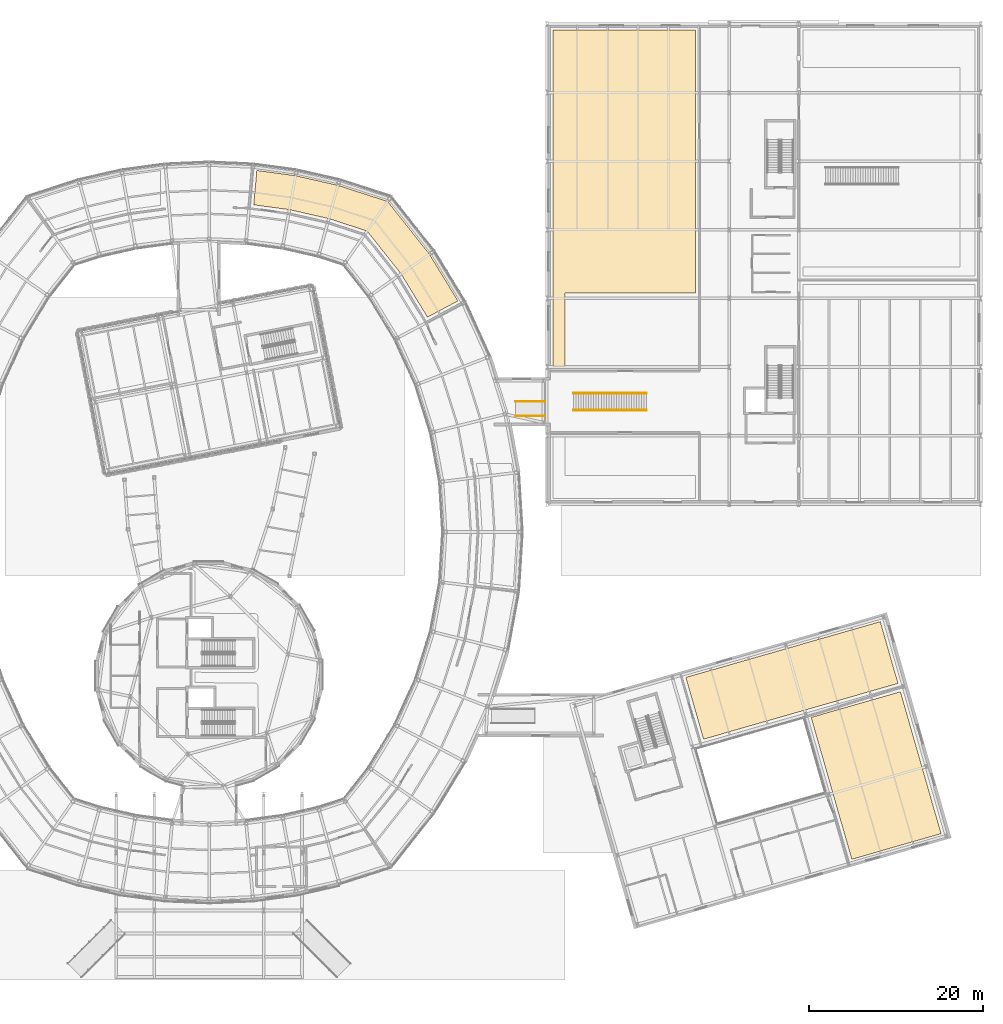
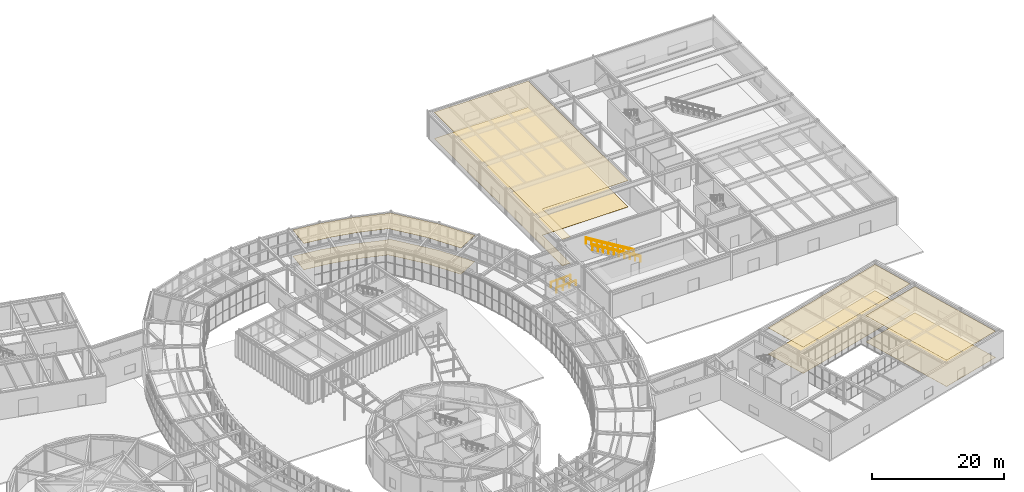
# One storey, part 94 of 97: 8 coverings, 6 railings.
"""IFC4 building model written with IfcOpenShell, lengths in metres."""

import ifcopenshell
import ifcopenshell.guid

model = None  # the IFC model being written
_history = None  # IfcOwnerHistory: only IFC2X3 demands one
_inside = {}  # id of a spatial element -> (the spatial element, [elements in it])
_under = {}  # id of a project, library or spatial element -> (it, [spatial elements below it])
_declared = {}  # id of a project -> (the project, [libraries it declares])
_typed = {}  # id of a type object -> (the type object, [elements of that type])
_made_of = {}  # id of a material, layer set ... -> (it, [elements and type objects made of it])


def new_model(schema):
    """Start an empty IFC model of exactly this schema.

    Asked for "IFC4X3", IfcOpenShell would pick the latest addendum, in which some entities
    have other attributes; the version numbers below select the first issue.
    IFC2X3 requires an IfcOwnerHistory on every rooted entity: one is made here for all.
    """
    global model, _history
    if schema == "IFC4X3":
        model = ifcopenshell.file(schema_version=(4, 3, 0, 0))
    else:
        model = ifcopenshell.file(schema=schema)
    _inside.clear()
    _under.clear()
    _declared.clear()
    _typed.clear()
    _made_of.clear()
    _history = None
    if model.schema == "IFC2X3":
        org = make("IfcOrganization", Name="unknown")
        user = make(
            "IfcPersonAndOrganization",
            ThePerson=make("IfcPerson", FamilyName="unknown"),
            TheOrganization=org,
        )
        app = make(
            "IfcApplication",
            ApplicationDeveloper=org,
            Version="unknown",
            ApplicationFullName="unknown",
            ApplicationIdentifier="unknown",
        )
        _history = make(
            "IfcOwnerHistory",
            OwningUser=user,
            OwningApplication=app,
            ChangeAction="ADDED",
            CreationDate=0,
        )
    return model


def make(cls, **values):
    """One entity of the class cls with the attributes given. An attribute that is None is left unset."""
    return model.create_entity(
        cls, **{name: value for name, value in values.items() if value is not None}
    )


def rooted(cls, **values):
    """An entity with a GlobalId (a new one), such as an element, a storey or a relation."""
    return make(cls, GlobalId=ifcopenshell.guid.new(), OwnerHistory=_history, **values)


def si_unit(unit_type, name, prefix=None):
    """IfcSIUnit, for example si_unit("LENGTHUNIT", "METRE", prefix="MILLI")."""
    return make("IfcSIUnit", UnitType=unit_type, Prefix=prefix, Name=name)


def assignment(units):
    """IfcUnitAssignment: the units of a project."""
    return None if units is None else make("IfcUnitAssignment", Units=units)


def point(xyz):
    """IfcCartesianPoint."""
    return None if xyz is None else make("IfcCartesianPoint", Coordinates=xyz)


def direction(xyz):
    """IfcDirection."""
    return None if xyz is None else make("IfcDirection", DirectionRatios=xyz)


def frame(location, z_axis=None, x_axis=None):
    """IfcAxis2Placement3D, a coordinate frame: its origin and axes. An axis left out is left unset."""
    return make(
        "IfcAxis2Placement3D",
        Location=point(location),
        Axis=direction(z_axis),
        RefDirection=direction(x_axis),
    )


def frame_2d(location, x_axis=None):
    """IfcAxis2Placement2D, a coordinate frame in the plane: its origin and x axis."""
    return make(
        "IfcAxis2Placement2D", Location=point(location), RefDirection=direction(x_axis)
    )


def origin():
    """The frame at (0, 0, 0) with its axes left unset."""
    return frame((0.0, 0.0, 0.0))


def origin_2d():
    """The frame at (0, 0) in the plane with its x axis left unset."""
    return frame_2d((0.0, 0.0))


def place(relative_to, where):
    """IfcLocalPlacement: puts the frame where relative to a parent placement (None: the world)."""
    return make(
        "IfcLocalPlacement", PlacementRelTo=relative_to, RelativePlacement=where
    )


def context(
    kind, dimensions, precision=None, world=None, true_north=None, identifier=None
):
    """IfcGeometricRepresentationContext, for example the 3D "Model" context."""
    return make(
        "IfcGeometricRepresentationContext",
        ContextIdentifier=identifier,
        ContextType=kind,
        CoordinateSpaceDimension=dimensions,
        Precision=precision,
        WorldCoordinateSystem=world,
        TrueNorth=true_north,
    )


def subcontext(parent, identifier, kind, view, scale=None):
    """IfcGeometricRepresentationSubContext, for example "Body" below "Model"."""
    return make(
        "IfcGeometricRepresentationSubContext",
        ContextIdentifier=identifier,
        ContextType=kind,
        ParentContext=parent,
        TargetScale=scale,
        TargetView=view,
    )


def project(units=None, contexts=None):
    """IfcProject with its units and contexts."""
    return rooted(
        "IfcProject",
        Name="project",
        RepresentationContexts=contexts,
        UnitsInContext=assignment(units),
    )


def spatial(cls, under=None, at=None, **own):
    """A site, building, storey or space (cls), placed at a placement, below another one or the project."""
    s = rooted(cls, ObjectPlacement=at, **own)
    if under is not None:
        _under.setdefault(under.id(), (under, []))[1].append(s)
    return s


def polyline(points):
    """IfcPolyline through the points."""
    return make("IfcPolyline", Points=[point(p) for p in points])


def profile(cls, at=None, kind="AREA", **sizes):
    """A parametric profile (cls). Its sizes go by their IFC names, for example OverallWidth=200.0."""
    return make(cls, ProfileType=kind, Position=at, **sizes)


def circle(**sizes):
    """IfcCircleProfileDef."""
    return profile("IfcCircleProfileDef", **sizes)


def outline(outer, holes=None, kind="AREA"):
    """IfcArbitraryClosedProfileDef: a profile drawn as a closed curve; with holes, ...WithVoids."""
    if holes is None:
        return make("IfcArbitraryClosedProfileDef", ProfileType=kind, OuterCurve=outer)
    return make(
        "IfcArbitraryProfileDefWithVoids",
        ProfileType=kind,
        OuterCurve=outer,
        InnerCurves=holes,
    )


def extrude(swept, where, along, depth):
    """IfcExtrudedAreaSolid: the profile swept, set in the frame where, extruded along a direction by depth."""
    return make(
        "IfcExtrudedAreaSolid",
        SweptArea=swept,
        Position=where,
        ExtrudedDirection=direction(along),
        Depth=depth,
    )


def shape(context_of_items, identifier, shape_type, items):
    """IfcShapeRepresentation: the items that make up one representation, for example the "Body"."""
    return make(
        "IfcShapeRepresentation",
        ContextOfItems=context_of_items,
        RepresentationIdentifier=identifier,
        RepresentationType=shape_type,
        Items=items,
    )


def material(Name=None, Category=None):
    """IfcMaterial."""
    return make("IfcMaterial", Name=Name, Category=Category)


def layer(
    of_material, thickness, ventilated=None, Name=None, Category=None, Priority=None
):
    """IfcMaterialLayer: one layer of a wall or slab, of a material (None: an air gap)."""
    return make(
        "IfcMaterialLayer",
        Material=of_material,
        LayerThickness=thickness,
        IsVentilated=ventilated,
        Name=Name,
        Category=Category,
        Priority=Priority,
    )


def layer_set(layers, Name=None):
    """IfcMaterialLayerSet."""
    return make("IfcMaterialLayerSet", MaterialLayers=layers, LayerSetName=Name)


def made_of(thing, what):
    """Note that an element or type object is made of a material, layer set ...; save() writes the relation."""
    if what is not None:
        _made_of.setdefault(what.id(), (what, []))[1].append(thing)
    return thing


def type_object(cls, material=None, **own):
    """A type object (cls), such as IfcWallType, which elements share."""
    return made_of(rooted(cls, **own), material)


def element(
    cls,
    number,
    at=None,
    inside=None,
    cuts=None,
    type_object=None,
    material=None,
    context=None,
    identifier="Body",
    shape_type=None,
    held_by="IfcProductDefinitionShape",
    body=None,
    shapes=None,
    **own,
):
    """One element of the class cls, such as IfcWall. Its Tag is "e" and its number.

    at: its placement. inside: the storey or other place that contains it. cuts: it is an
    opening in that element (IfcRelVoidsElement). A single representation is given by context,
    identifier, shape_type and body (its items); several are given by shapes. held_by: the class
    of the entity that holds the representations. save() writes the other relations.
    """
    e = rooted(cls, Tag="e%d" % number, ObjectPlacement=at, **own)
    if body is not None:
        shapes = [shape(context, identifier, shape_type, body)]
    if shapes is not None:
        e.Representation = make(held_by, Representations=shapes)
    if inside is not None:
        _inside.setdefault(inside.id(), (inside, []))[1].append(e)
    if cuts is not None:
        rooted(
            "IfcRelVoidsElement", RelatingBuildingElement=cuts, RelatedOpeningElement=e
        )
    if type_object is not None:
        _typed.setdefault(type_object.id(), (type_object, []))[1].append(e)
    return made_of(e, material)


def aggregate(whole, parts):
    """IfcRelAggregates: a whole, such as a stair, and the parts it consists of."""
    return rooted("IfcRelAggregates", RelatingObject=whole, RelatedObjects=parts)


def save(model, path):
    """Write the relations noted so far, then the file.

    IfcRelAggregates (storeys below a building ...), IfcRelContainedInSpatialStructure (elements
    in a storey), IfcRelDefinesByType, IfcRelAssociatesMaterial and IfcRelDeclares: one each for
    every whole, place, type object, material and project.
    """
    for whole, parts in _under.values():
        aggregate(whole, parts)
    for where, things in _inside.values():
        rooted(
            "IfcRelContainedInSpatialStructure",
            RelatedElements=things,
            RelatingStructure=where,
        )
    for kind, things in _typed.values():
        rooted("IfcRelDefinesByType", RelatedObjects=things, RelatingType=kind)
    for what, things in _made_of.values():
        rooted("IfcRelAssociatesMaterial", RelatedObjects=things, RelatingMaterial=what)
    for by, libraries in _declared.values():
        rooted("IfcRelDeclares", RelatingContext=by, RelatedDefinitions=libraries)
    model.write(path)


model = new_model("IFC4")

# Units and contexts
model_context = context("Model", 3, precision=1e-05, world=origin(), true_north=direction((0.0, 1.0)))
body_context = subcontext(model_context, "Body", "Model", "MODEL_VIEW")
ifc_project = project(units=[si_unit("LENGTHUNIT", "METRE"), si_unit("AREAUNIT", "SQUARE_METRE"), si_unit("VOLUMEUNIT", "CUBIC_METRE"), si_unit("PLANEANGLEUNIT", "RADIAN"), si_unit("MASSUNIT", "GRAM", prefix="KILO")], contexts=[model_context])

# Site, building, storey
site_placement = place(None, origin())
site = spatial("IfcSite", under=ifc_project, at=site_placement, CompositionType="ELEMENT")
building_placement = place(site_placement, origin())
building = spatial("IfcBuilding", under=site, at=building_placement, Name="Varnklinge Art Gallery", CompositionType="ELEMENT")
storey_placement = place(building_placement, origin())
storey = spatial("IfcBuildingStorey", under=building, at=storey_placement, Name="L00", CompositionType="ELEMENT", Elevation=0.0)

# Railings
ifc_material_1 = material(Name="Anodised Aluminium", Category="aluminium")
railing_type_1 = type_object("IfcRailingType", Name="BAL-01", PredefinedType="BALUSTRADE", material=ifc_material_1)
for number, where, name in (
    (1, (125.885009765625, 71.0, 0.0), "L00 West Gallery Feature Stair Balustrade N"),
    (2, (125.885009765625, 69.0, 0.0), "L00 West Gallery Feature Stair Balustrade S"),
):
    element("IfcRailing", number, at=place(storey_placement, frame(where)), inside=storey, type_object=railing_type_1, Name=name, PredefinedType="BALUSTRADE", context=body_context, shape_type="SweptSolid", body=[
        extrude(circle(Radius=0.02392578125, at=origin_2d()), frame((0.0, 0.0, 1.11572265625), z_axis=(-0.855054432857, 0.0, 0.518538250134), x_axis=(0.0, -1.0, 0.0)), (0.0, 0.0, 1.0), 9.83544921875),
        extrude(circle(Radius=0.02099609375, at=origin_2d()), origin(), (0.0, 0.0, 1.0), 1.091796875),
        extrude(circle(Radius=0.02099609375, at=origin_2d()), frame((-0.934326171875, 0.0, 0.566650390625)), (0.0, 0.0, 1.0), 1.091796875),
        extrude(circle(Radius=0.02099609375, at=origin_2d()), frame((-1.868896484375, 0.0, 1.13330078125)), (0.0, 0.0, 1.0), 1.091796875),
        extrude(circle(Radius=0.02099609375, at=origin_2d()), frame((-2.80322265625, 0.0, 1.699951171875)), (0.0, 0.0, 1.0), 1.091796875),
        extrude(circle(Radius=0.02099609375, at=origin_2d()), frame((-3.73779296875, 0.0, 2.2666015625)), (0.0, 0.0, 1.0), 1.091796875),
        extrude(circle(Radius=0.02099609375, at=origin_2d()), frame((-4.672119140625, 0.0, 2.83349609375)), (0.0, 0.0, 1.0), 1.091796875),
        extrude(circle(Radius=0.02099609375, at=origin_2d()), frame((-5.606689453125, 0.0, 3.400146484375)), (0.0, 0.0, 1.0), 1.091796875),
        extrude(circle(Radius=0.02099609375, at=origin_2d()), frame((-6.541015625, 0.0, 3.966796875)), (0.0, 0.0, 1.0), 1.091796875),
        extrude(circle(Radius=0.02099609375, at=origin_2d()), frame((-7.4755859375, 0.0, 4.533447265625)), (0.0, 0.0, 1.0), 1.091796875),
        extrude(circle(Radius=0.02099609375, at=origin_2d()), frame((-8.409912109375, 0.0, 5.10009765625)), (0.0, 0.0, 1.0), 1.091796875),
    ])

# Coverings
ifc_material_2 = material(Name="Acoustic Mineral Tile", Category="mineral")
ifc_layer_1 = layer(ifc_material_2, 0.02490234375)
ifc_layer_set_1 = layer_set([ifc_layer_1], Name="Acoustic Mineral Tile")
covering_type_1 = type_object("IfcCoveringType", Name="CLG-AC", PredefinedType="CEILING", material=ifc_layer_set_1)
covering_1_placement = place(storey_placement, frame((0.0, 0.0, 4.85498046875)))
element("IfcCovering", 3, at=covering_1_placement, inside=storey, type_object=covering_type_1, Name="L00 Acoustic Mineral Ceiling 002", PredefinedType="CEILING", context=body_context, shape_type="SweptSolid", body=[
    extrude(outline(polyline([(115.080078125, 74.0), (116.5, 74.0), (116.5, 82.5), (131.5, 82.5), (131.5, 112.820068359375), (115.080078125, 112.820068359375), (115.080078125, 74.0)])), origin(), (0.0, 0.0, 1.0), 0.02490234375),
])
covering_2_placement = place(storey_placement, frame((0.0, 0.0, 4.85498046875)))
element("IfcCovering", 4, at=covering_2_placement, inside=storey, type_object=covering_type_1, Name="L00 Acoustic Mineral Ceiling 006", PredefinedType="CEILING", context=body_context, shape_type="SweptSolid", body=[
    extrude(outline(polyline([(89.30810546875, 91.078125), (93.55322265625, 89.702392578125), (93.59912109375, 89.68505859375), (93.64306640625, 89.663330078125), (93.6845703125, 89.637451171875), (93.723388671875, 89.607421875), (93.759033203125, 89.573974609375), (93.791259765625, 89.537109375), (97.5947265625, 84.7333984375), (97.629638671875, 84.68359375), (100.64599609375, 79.740966796875), (104.16259765625, 81.603515625), (100.878173828125, 86.9853515625), (96.065185546875, 93.063720703125), (90.342041015625, 94.91845703125), (85.461181640625, 96.029541015625), (80.99658203125, 96.6328125), (80.64111328125, 92.6728515625), (84.73095703125, 92.1201171875), (84.77490234375, 92.1123046875), (89.264892578125, 91.090087890625), (89.30810546875, 91.078125)])), origin(), (0.0, 0.0, 1.0), 0.02490234375),
])
covering_3_placement = place(storey_placement, frame((0.0, 0.0, 4.85498046875)))
element("IfcCovering", 5, at=covering_3_placement, inside=storey, type_object=covering_type_1, Name="L00 Acoustic Mineral Ceiling 014", PredefinedType="CEILING", context=body_context, shape_type="SweptSolid", body=[
    extrude(outline(polyline([(132.4443359375, 31.1337890625), (154.841796875, 37.55615234375), (152.802001953125, 44.66943359375), (130.40478515625, 38.247314453125), (132.4443359375, 31.1337890625)])), origin(), (0.0, 0.0, 1.0), 0.02490234375),
])
covering_4_placement = place(storey_placement, frame((0.0, 0.0, 4.85498046875)))
element("IfcCovering", 6, at=covering_4_placement, inside=storey, type_object=covering_type_1, Name="L00 Acoustic Mineral Ceiling 015", PredefinedType="CEILING", context=body_context, shape_type="SweptSolid", body=[
    extrude(outline(polyline([(149.517822265625, 17.30419921875), (159.80322265625, 20.25341796875), (155.117431640625, 36.594970703125), (144.83203125, 33.6455078125), (149.517822265625, 17.30419921875)])), origin(), (0.0, 0.0, 1.0), 0.02490234375),
])
ifc_material_3 = material(Name="Polished Terrazzo Flooring", Category="stone")
ifc_layer_2 = layer(ifc_material_3, 0.02001953125)
ifc_layer_set_2 = layer_set([ifc_layer_2], Name="Polished Terrazzo Flooring")
covering_type_2 = type_object("IfcCoveringType", Name="FLR-STN", PredefinedType="FLOORING", material=ifc_layer_set_2)
covering_5_placement = place(storey_placement, origin())
element("IfcCovering", 7, at=covering_5_placement, inside=storey, type_object=covering_type_2, Name="L00 Gallery Terrazzo Flooring 002", PredefinedType="FLOORING", context=body_context, shape_type="SweptSolid", body=[
    extrude(outline(polyline([(115.080078125, 74.0), (116.5, 74.0), (116.5, 82.5), (131.5, 82.5), (131.5, 112.820068359375), (115.080078125, 112.820068359375), (115.080078125, 74.0)])), origin(), (0.0, 0.0, 1.0), 0.02001953125),
])
covering_6_placement = place(storey_placement, origin())
element("IfcCovering", 8, at=covering_6_placement, inside=storey, type_object=covering_type_2, Name="L00 Gallery Terrazzo Flooring 006", PredefinedType="FLOORING", context=body_context, shape_type="SweptSolid", body=[
    extrude(outline(polyline([(89.30810546875, 91.078125), (93.55322265625, 89.702392578125), (93.59912109375, 89.68505859375), (93.64306640625, 89.663330078125), (93.6845703125, 89.637451171875), (93.723388671875, 89.607421875), (93.759033203125, 89.573974609375), (93.791259765625, 89.537109375), (97.5947265625, 84.7333984375), (97.629638671875, 84.68359375), (100.64599609375, 79.740966796875), (104.16259765625, 81.603515625), (100.878173828125, 86.9853515625), (96.065185546875, 93.063720703125), (90.342041015625, 94.91845703125), (85.461181640625, 96.029541015625), (80.99658203125, 96.6328125), (80.64111328125, 92.6728515625), (84.73095703125, 92.1201171875), (84.77490234375, 92.1123046875), (89.264892578125, 91.090087890625), (89.30810546875, 91.078125)])), origin(), (0.0, 0.0, 1.0), 0.02001953125),
])
covering_7_placement = place(storey_placement, origin())
element("IfcCovering", 9, at=covering_7_placement, inside=storey, type_object=covering_type_2, Name="L00 Gallery Terrazzo Flooring 014", PredefinedType="FLOORING", context=body_context, shape_type="SweptSolid", body=[
    extrude(outline(polyline([(132.4443359375, 31.1337890625), (154.841796875, 37.55615234375), (152.802001953125, 44.66943359375), (130.40478515625, 38.247314453125), (132.4443359375, 31.1337890625)])), origin(), (0.0, 0.0, 1.0), 0.02001953125),
])
covering_8_placement = place(storey_placement, origin())
element("IfcCovering", 10, at=covering_8_placement, inside=storey, type_object=covering_type_2, Name="L00 Gallery Terrazzo Flooring 015", PredefinedType="FLOORING", context=body_context, shape_type="SweptSolid", body=[
    extrude(outline(polyline([(149.517822265625, 17.30419921875), (159.80322265625, 20.25341796875), (155.117431640625, 36.594970703125), (144.83203125, 33.6455078125), (149.517822265625, 17.30419921875)])), origin(), (0.0, 0.0, 1.0), 0.02001953125),
])

# Railings
ifc_material_4 = material(Name="Steel S355", Category="steel")
railing_type_2 = type_object("IfcRailingType", Name="HR-01", PredefinedType="HANDRAIL", material=ifc_material_4)
for number, where, name in (
    (11, (125.885009765625, 70.93994140625, 0.0), "L00 West Gallery Feature Stair Handrail N"),
    (12, (125.885009765625, 69.06005859375, 0.0), "L00 West Gallery Feature Stair Handrail S"),
):
    element("IfcRailing", number, at=place(storey_placement, frame(where)), inside=storey, type_object=railing_type_2, Name=name, PredefinedType="HANDRAIL", context=body_context, shape_type="SweptSolid", body=[
        extrude(circle(Radius=0.02392578125, at=origin_2d()), frame((0.0, 0.0, 0.89599609375), z_axis=(-0.855054432857, 0.0, 0.518538250134), x_axis=(0.0, -1.0, 0.0)), (0.0, 0.0, 1.0), 9.83544921875),
        extrude(circle(Radius=0.02099609375, at=origin_2d()), origin(), (0.0, 0.0, 1.0), 0.871826171875),
        extrude(circle(Radius=0.02099609375, at=origin_2d()), frame((-0.934326171875, 0.0, 0.566650390625)), (0.0, 0.0, 1.0), 0.871826171875),
        extrude(circle(Radius=0.02099609375, at=origin_2d()), frame((-1.868896484375, 0.0, 1.13330078125)), (0.0, 0.0, 1.0), 0.871826171875),
        extrude(circle(Radius=0.02099609375, at=origin_2d()), frame((-2.80322265625, 0.0, 1.699951171875)), (0.0, 0.0, 1.0), 0.871826171875),
        extrude(circle(Radius=0.02099609375, at=origin_2d()), frame((-3.73779296875, 0.0, 2.2666015625)), (0.0, 0.0, 1.0), 0.871826171875),
        extrude(circle(Radius=0.02099609375, at=origin_2d()), frame((-4.672119140625, 0.0, 2.83349609375)), (0.0, 0.0, 1.0), 0.871826171875),
        extrude(circle(Radius=0.02099609375, at=origin_2d()), frame((-5.606689453125, 0.0, 3.400146484375)), (0.0, 0.0, 1.0), 0.871826171875),
        extrude(circle(Radius=0.02099609375, at=origin_2d()), frame((-6.541015625, 0.0, 3.966796875)), (0.0, 0.0, 1.0), 0.871826171875),
        extrude(circle(Radius=0.02099609375, at=origin_2d()), frame((-7.4755859375, 0.0, 4.533447265625)), (0.0, 0.0, 1.0), 0.871826171875),
        extrude(circle(Radius=0.02099609375, at=origin_2d()), frame((-8.409912109375, 0.0, 5.10009765625)), (0.0, 0.0, 1.0), 0.871826171875),
    ])
for number, where, name in (
    (13, (110.800048828125, 68.3720703125, 0.0), "L00 Shell Gallery Link Threshold Ramp Handrail L"),
    (14, (110.800048828125, 70.028076171875, 0.0), "L00 Shell Gallery Link Threshold Ramp Handrail R"),
):
    element("IfcRailing", number, at=place(storey_placement, frame(where)), inside=storey, type_object=railing_type_2, Name=name, PredefinedType="HANDRAIL", context=body_context, shape_type="SweptSolid", body=[
        extrude(circle(Radius=0.02392578125, at=origin_2d()), frame((0.0, 0.0, 0.89599609375), z_axis=(0.999376493332, 0.0, 0.03530757107), x_axis=(0.0, 1.0, 0.0)), (0.0, 0.0, 1.0), 3.402099609375),
        extrude(circle(Radius=0.02099609375, at=origin_2d()), origin(), (0.0, 0.0, 1.0), 0.871826171875),
        extrude(circle(Radius=0.02099609375, at=origin_2d()), frame((1.13330078125, 0.0, 0.0400390625)), (0.0, 0.0, 1.0), 0.871826171875),
        extrude(circle(Radius=0.02099609375, at=origin_2d()), frame((2.2666015625, 0.0, 0.080078125)), (0.0, 0.0, 1.0), 0.871826171875),
        extrude(circle(Radius=0.02099609375, at=origin_2d()), frame((3.39990234375, 0.0, 0.1201171875)), (0.0, 0.0, 1.0), 0.871826171875),
    ])

save(model, "model.ifc")
